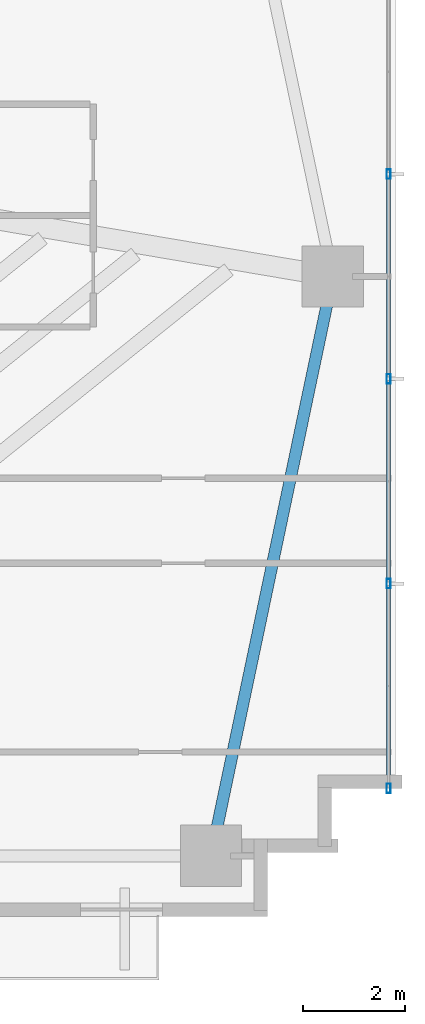
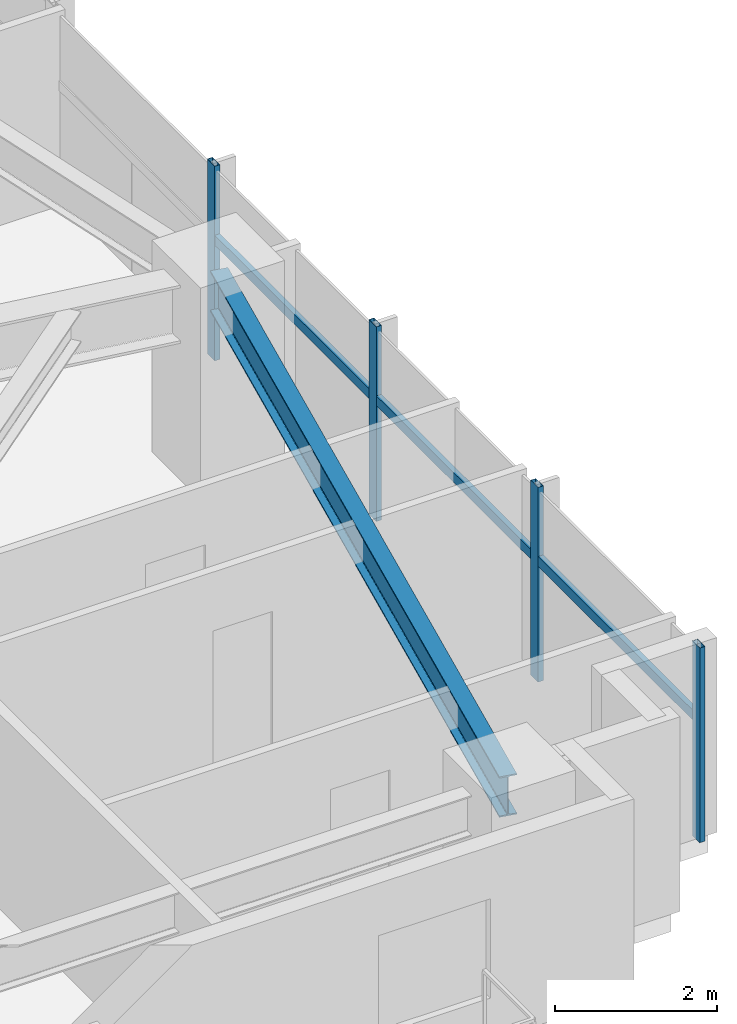
# One storey, part 14 of 25: 7 members, 1 beam, 1 element without a shape of its own.
"""IFC4 building model written with IfcOpenShell, lengths in metres."""

from ifc_helpers import new_model, si_unit, direction, frame, origin, origin_2d, place, context, subcontext, project, spatial, hollow_rectangle, i_section, extrude, source, transform, mapped, material, material_profile, profile_set, type_object, type_shapes, element, aggregate, save


model = new_model("IFC4")

# Units and contexts
model_context = context("Model", 3, precision=1e-05, world=origin(), true_north=direction((0.0, 1.0)))
body_context = subcontext(model_context, "Body", "Model", "MODEL_VIEW")
ifc_project = project(units=[si_unit("LENGTHUNIT", "METRE"), si_unit("AREAUNIT", "SQUARE_METRE"), si_unit("VOLUMEUNIT", "CUBIC_METRE"), si_unit("PLANEANGLEUNIT", "RADIAN"), si_unit("MASSUNIT", "GRAM", prefix="KILO")], contexts=[model_context])

# Site, building, storey
site_placement = place(None, origin())
site = spatial("IfcSite", under=ifc_project, at=site_placement, CompositionType="ELEMENT")
building_placement = place(site_placement, origin())
building = spatial("IfcBuilding", under=site, at=building_placement, Name="Astriad Promenade Condominiums", CompositionType="ELEMENT")
storey_placement = place(building_placement, frame((0.0, 0.0, 39.0)))
storey = spatial("IfcBuildingStorey", under=building, at=storey_placement, Name="L10", CompositionType="ELEMENT", Elevation=39.0)

# Beam
ifc_material_1 = material(Name="Steel ASTM A992 Grade 50", Category="steel")
ifc_material_profile_1 = material_profile(ifc_material_1, i_section(OverallWidth=0.22900390625, OverallDepth=0.612060546875, WebThickness=0.011962890625, FlangeThickness=0.01953125, FilletRadius=0.017822265625, at=origin_2d()), Name="W24X84")
ifc_profile_set_1 = profile_set([ifc_material_profile_1], Name="Steel ASTM A992 Grade 50")
beam_type = type_object("IfcBeamType", Name="STEEL SPANDREL BEAM W24X84", PredefinedType="SPANDREL", material=ifc_profile_set_1)
shared_shape_1 = source(origin(), body_context, "Body", "SweptSolid", [
    extrude(i_section(OverallWidth=0.22900390625, OverallDepth=0.612060546875, WebThickness=0.011962890625, FlangeThickness=0.01953125, FilletRadius=0.017822265625, at=origin_2d()), origin(), (0.0, 0.0, 1.0), 11.487548828125),
])
type_shapes(beam_type, [shared_shape_1])
beam_placement = place(storey_placement, frame((56.208251953125, 3.919189453125, 2.6337890625), z_axis=(0.205748055501, 0.978604995725, 0.0), x_axis=(-0.978604995725, 0.205748055501, 0.0)))
element("IfcBeam", 1, at=beam_placement, inside=storey, type_object=beam_type, Name="Perimeter Spandrel Beam SP-E1-L10", PredefinedType="SPANDREL", context=body_context, shape_type="MappedRepresentation", body=[
    mapped(shared_shape_1, transform((0.0, 0.0, 0.0), scale=1.0)),
])

# Curtain wall, members
ifc_material_2 = material(Name="Anodised aluminium Black Dark Glass Unitised", Category="aluminium")
curtain_wall_type = type_object("IfcCurtainWallType", Name="CW-B1-DARK", PredefinedType="USERDEFINED", material=ifc_material_2)
curtain_wall_placement = place(storey_placement, origin())
curtain_wall = element("IfcCurtainWall", 2, at=curtain_wall_placement, inside=storey, type_object=curtain_wall_type, Name="CW-L10-E", ObjectType="UNITISED_CURTAIN_WALL", PredefinedType="USERDEFINED")
ifc_material_3 = material(Name="Anodised aluminium 6063-T6 Black", Category="aluminium")
ifc_material_profile_2 = material_profile(ifc_material_3, hollow_rectangle(XDim=0.074951171875, YDim=0.18505859375, WallThickness=0.00439453125, at=origin_2d()), Name="ALU-MUL-75X185")
ifc_profile_set_2 = profile_set([ifc_material_profile_2], Name="Anodised aluminium 6063-T6 Black")
member_type_1 = type_object("IfcMemberType", Name="MUL-ALU-MUL-75X185", PredefinedType="MULLION", material=ifc_profile_set_2)
shared_shape_2 = source(origin(), body_context, "Body", "SweptSolid", [
    extrude(hollow_rectangle(XDim=0.074951171875, YDim=0.18505859375, WallThickness=0.00439453125, at=origin_2d()), origin(), (0.0, 0.0, 1.0), 2.93994140625),
])
type_shapes(member_type_1, [shared_shape_2])
member_1_placement = place(storey_placement, frame((59.669921875, 17.199951171875, 0.0), z_axis=(0.0, 0.0, 1.0), x_axis=(1.0, 0.0, 0.0)))
member_1 = element("IfcMember", 3, at=member_1_placement, type_object=member_type_1, Name="CW-L10-E-MUL-02", PredefinedType="MULLION", context=body_context, shape_type="MappedRepresentation", body=[
    mapped(shared_shape_2, transform((0.0, 0.0, 0.0), scale=1.0)),
])
member_2_placement = place(storey_placement, frame((59.669921875, 13.199951171875, 0.0), z_axis=(0.0, 0.0, 1.0), x_axis=(1.0, 0.0, 0.0)))
member_2 = element("IfcMember", 4, at=member_2_placement, type_object=member_type_1, Name="CW-L10-E-MUL-03", PredefinedType="MULLION", context=body_context, shape_type="MappedRepresentation", body=[
    mapped(shared_shape_2, transform((0.0, 0.0, 0.0), scale=1.0)),
])
member_3_placement = place(storey_placement, frame((59.669921875, 9.199951171875, 0.0), z_axis=(0.0, 0.0, 1.0), x_axis=(1.0, 0.0, 0.0)))
member_3 = element("IfcMember", 5, at=member_3_placement, type_object=member_type_1, Name="CW-L10-E-MUL-04", PredefinedType="MULLION", context=body_context, shape_type="MappedRepresentation", body=[
    mapped(shared_shape_2, transform((0.0, 0.0, 0.0), scale=1.0)),
])
member_4_placement = place(storey_placement, frame((59.669921875, 5.199951171875, 0.0), z_axis=(0.0, 0.0, 1.0), x_axis=(1.0, 0.0, 0.0)))
member_4 = element("IfcMember", 6, at=member_4_placement, type_object=member_type_1, Name="CW-L10-E-MUL-05", PredefinedType="MULLION", context=body_context, shape_type="MappedRepresentation", body=[
    mapped(shared_shape_2, transform((0.0, 0.0, 0.0), scale=1.0)),
])
ifc_material_profile_3 = material_profile(ifc_material_3, hollow_rectangle(XDim=0.074951171875, YDim=0.14990234375, WallThickness=0.004150390625, at=origin_2d()), Name="ALU-TRN-75X150")
ifc_profile_set_3 = profile_set([ifc_material_profile_3], Name="Anodised aluminium 6063-T6 Black")
member_type_2 = type_object("IfcMemberType", Name="TRN-ALU-TRN-75X150", PredefinedType="USERDEFINED", material=ifc_profile_set_3)
shared_shape_3 = source(origin(), body_context, "Body", "SweptSolid", [
    extrude(hollow_rectangle(XDim=0.074951171875, YDim=0.14990234375, WallThickness=0.004150390625, at=origin_2d()), origin(), (0.0, 0.0, 1.0), 4.0),
])
type_shapes(member_type_2, [shared_shape_3])
member_5_placement = place(storey_placement, frame((59.669921875, 17.199951171875, 1.82275390625), z_axis=(0.0, -1.0, 0.0), x_axis=(1.0, 0.0, 0.0)))
member_5 = element("IfcMember", 7, at=member_5_placement, type_object=member_type_2, Name="CW-L10-E-TRN-02-0", ObjectType="TRANSOM", PredefinedType="USERDEFINED", context=body_context, shape_type="MappedRepresentation", body=[
    mapped(shared_shape_3, transform((0.0, 0.0, 0.0), scale=1.0)),
])
member_6_placement = place(storey_placement, frame((59.669921875, 13.199951171875, 1.82275390625), z_axis=(0.0, -1.0, 0.0), x_axis=(1.0, 0.0, 0.0)))
member_6 = element("IfcMember", 8, at=member_6_placement, type_object=member_type_2, Name="CW-L10-E-TRN-03-0", ObjectType="TRANSOM", PredefinedType="USERDEFINED", context=body_context, shape_type="MappedRepresentation", body=[
    mapped(shared_shape_3, transform((0.0, 0.0, 0.0), scale=1.0)),
])
member_7_placement = place(storey_placement, frame((59.669921875, 9.199951171875, 1.82275390625), z_axis=(0.0, -1.0, 0.0), x_axis=(1.0, 0.0, 0.0)))
member_7 = element("IfcMember", 9, at=member_7_placement, type_object=member_type_2, Name="CW-L10-E-TRN-04-0", ObjectType="TRANSOM", PredefinedType="USERDEFINED", context=body_context, shape_type="MappedRepresentation", body=[
    mapped(shared_shape_3, transform((0.0, 0.0, 0.0), scale=1.0)),
])
aggregate(curtain_wall, [member_1, member_2, member_3, member_4, member_5, member_6, member_7])

save(model, "model.ifc")
